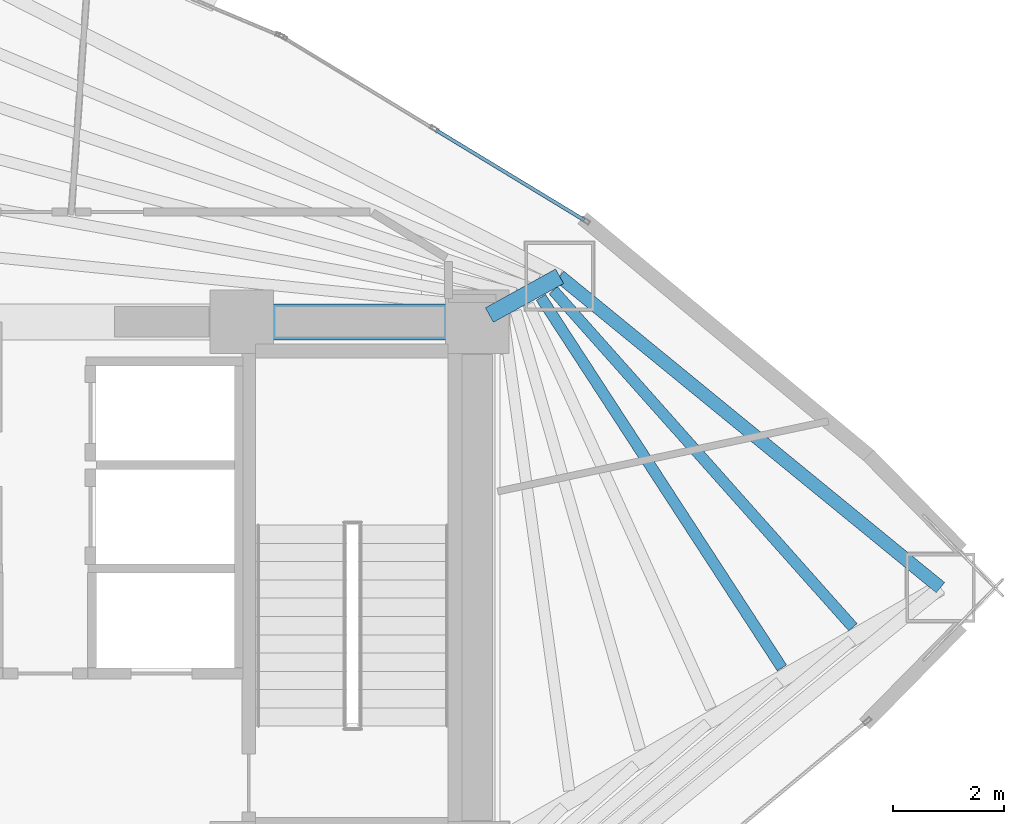
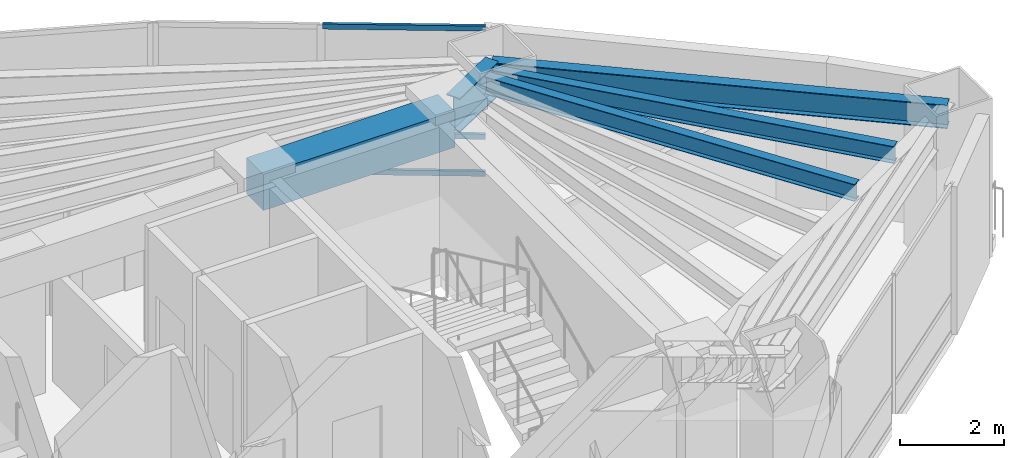
# One storey, part 12 of 19: 5 beams, 3 members, 1 element without a shape of its own.
"""IFC4 building model written with IfcOpenShell, lengths in metres."""

import ifcopenshell
import ifcopenshell.guid

model = None  # the IFC model being written
_history = None  # IfcOwnerHistory: only IFC2X3 demands one
_inside = {}  # id of a spatial element -> (the spatial element, [elements in it])
_under = {}  # id of a project, library or spatial element -> (it, [spatial elements below it])
_declared = {}  # id of a project -> (the project, [libraries it declares])
_typed = {}  # id of a type object -> (the type object, [elements of that type])
_made_of = {}  # id of a material, layer set ... -> (it, [elements and type objects made of it])


def new_model(schema):
    """Start an empty IFC model of exactly this schema.

    Asked for "IFC4X3", IfcOpenShell would pick the latest addendum, in which some entities
    have other attributes; the version numbers below select the first issue.
    IFC2X3 requires an IfcOwnerHistory on every rooted entity: one is made here for all.
    """
    global model, _history
    if schema == "IFC4X3":
        model = ifcopenshell.file(schema_version=(4, 3, 0, 0))
    else:
        model = ifcopenshell.file(schema=schema)
    _inside.clear()
    _under.clear()
    _declared.clear()
    _typed.clear()
    _made_of.clear()
    _history = None
    if model.schema == "IFC2X3":
        org = make("IfcOrganization", Name="unknown")
        user = make(
            "IfcPersonAndOrganization",
            ThePerson=make("IfcPerson", FamilyName="unknown"),
            TheOrganization=org,
        )
        app = make(
            "IfcApplication",
            ApplicationDeveloper=org,
            Version="unknown",
            ApplicationFullName="unknown",
            ApplicationIdentifier="unknown",
        )
        _history = make(
            "IfcOwnerHistory",
            OwningUser=user,
            OwningApplication=app,
            ChangeAction="ADDED",
            CreationDate=0,
        )
    return model


def make(cls, **values):
    """One entity of the class cls with the attributes given. An attribute that is None is left unset."""
    return model.create_entity(
        cls, **{name: value for name, value in values.items() if value is not None}
    )


def rooted(cls, **values):
    """An entity with a GlobalId (a new one), such as an element, a storey or a relation."""
    return make(cls, GlobalId=ifcopenshell.guid.new(), OwnerHistory=_history, **values)


def si_unit(unit_type, name, prefix=None):
    """IfcSIUnit, for example si_unit("LENGTHUNIT", "METRE", prefix="MILLI")."""
    return make("IfcSIUnit", UnitType=unit_type, Prefix=prefix, Name=name)


def assignment(units):
    """IfcUnitAssignment: the units of a project."""
    return None if units is None else make("IfcUnitAssignment", Units=units)


def point(xyz):
    """IfcCartesianPoint."""
    return None if xyz is None else make("IfcCartesianPoint", Coordinates=xyz)


def direction(xyz):
    """IfcDirection."""
    return None if xyz is None else make("IfcDirection", DirectionRatios=xyz)


def frame(location, z_axis=None, x_axis=None):
    """IfcAxis2Placement3D, a coordinate frame: its origin and axes. An axis left out is left unset."""
    return make(
        "IfcAxis2Placement3D",
        Location=point(location),
        Axis=direction(z_axis),
        RefDirection=direction(x_axis),
    )


def frame_2d(location, x_axis=None):
    """IfcAxis2Placement2D, a coordinate frame in the plane: its origin and x axis."""
    return make(
        "IfcAxis2Placement2D", Location=point(location), RefDirection=direction(x_axis)
    )


def origin():
    """The frame at (0, 0, 0) with its axes left unset."""
    return frame((0.0, 0.0, 0.0))


def origin_2d():
    """The frame at (0, 0) in the plane with its x axis left unset."""
    return frame_2d((0.0, 0.0))


def place(relative_to, where):
    """IfcLocalPlacement: puts the frame where relative to a parent placement (None: the world)."""
    return make(
        "IfcLocalPlacement", PlacementRelTo=relative_to, RelativePlacement=where
    )


def context(
    kind, dimensions, precision=None, world=None, true_north=None, identifier=None
):
    """IfcGeometricRepresentationContext, for example the 3D "Model" context."""
    return make(
        "IfcGeometricRepresentationContext",
        ContextIdentifier=identifier,
        ContextType=kind,
        CoordinateSpaceDimension=dimensions,
        Precision=precision,
        WorldCoordinateSystem=world,
        TrueNorth=true_north,
    )


def subcontext(parent, identifier, kind, view, scale=None):
    """IfcGeometricRepresentationSubContext, for example "Body" below "Model"."""
    return make(
        "IfcGeometricRepresentationSubContext",
        ContextIdentifier=identifier,
        ContextType=kind,
        ParentContext=parent,
        TargetScale=scale,
        TargetView=view,
    )


def project(units=None, contexts=None):
    """IfcProject with its units and contexts."""
    return rooted(
        "IfcProject",
        Name="project",
        RepresentationContexts=contexts,
        UnitsInContext=assignment(units),
    )


def spatial(cls, under=None, at=None, **own):
    """A site, building, storey or space (cls), placed at a placement, below another one or the project."""
    s = rooted(cls, ObjectPlacement=at, **own)
    if under is not None:
        _under.setdefault(under.id(), (under, []))[1].append(s)
    return s


def profile(cls, at=None, kind="AREA", **sizes):
    """A parametric profile (cls). Its sizes go by their IFC names, for example OverallWidth=200.0."""
    return make(cls, ProfileType=kind, Position=at, **sizes)


def rectangle(**sizes):
    """IfcRectangleProfileDef."""
    return profile("IfcRectangleProfileDef", **sizes)


def hollow_rectangle(**sizes):
    """IfcRectangleHollowProfileDef."""
    return profile("IfcRectangleHollowProfileDef", **sizes)


def i_section(**sizes):
    """IfcIShapeProfileDef."""
    return profile("IfcIShapeProfileDef", **sizes)


def extrude(swept, where, along, depth):
    """IfcExtrudedAreaSolid: the profile swept, set in the frame where, extruded along a direction by depth."""
    return make(
        "IfcExtrudedAreaSolid",
        SweptArea=swept,
        Position=where,
        ExtrudedDirection=direction(along),
        Depth=depth,
    )


def shape(context_of_items, identifier, shape_type, items):
    """IfcShapeRepresentation: the items that make up one representation, for example the "Body"."""
    return make(
        "IfcShapeRepresentation",
        ContextOfItems=context_of_items,
        RepresentationIdentifier=identifier,
        RepresentationType=shape_type,
        Items=items,
    )


def material(Name=None, Category=None):
    """IfcMaterial."""
    return make("IfcMaterial", Name=Name, Category=Category)


def layer(
    of_material, thickness, ventilated=None, Name=None, Category=None, Priority=None
):
    """IfcMaterialLayer: one layer of a wall or slab, of a material (None: an air gap)."""
    return make(
        "IfcMaterialLayer",
        Material=of_material,
        LayerThickness=thickness,
        IsVentilated=ventilated,
        Name=Name,
        Category=Category,
        Priority=Priority,
    )


def layer_set(layers, Name=None):
    """IfcMaterialLayerSet."""
    return make("IfcMaterialLayerSet", MaterialLayers=layers, LayerSetName=Name)


def material_profile(
    of_material, cross_section, Name=None, Category=None, Priority=None
):
    """IfcMaterialProfile: a cross section and its material."""
    return make(
        "IfcMaterialProfile",
        Name=Name,
        Material=of_material,
        Profile=cross_section,
        Priority=Priority,
        Category=Category,
    )


def profile_set(profiles, Name=None, composite=None):
    """IfcMaterialProfileSet."""
    return make(
        "IfcMaterialProfileSet",
        Name=Name,
        MaterialProfiles=profiles,
        CompositeProfile=composite,
    )


def made_of(thing, what):
    """Note that an element or type object is made of a material, layer set ...; save() writes the relation."""
    if what is not None:
        _made_of.setdefault(what.id(), (what, []))[1].append(thing)
    return thing


def type_object(cls, material=None, **own):
    """A type object (cls), such as IfcWallType, which elements share."""
    return made_of(rooted(cls, **own), material)


def element(
    cls,
    number,
    at=None,
    inside=None,
    cuts=None,
    type_object=None,
    material=None,
    context=None,
    identifier="Body",
    shape_type=None,
    held_by="IfcProductDefinitionShape",
    body=None,
    shapes=None,
    **own,
):
    """One element of the class cls, such as IfcWall. Its Tag is "e" and its number.

    at: its placement. inside: the storey or other place that contains it. cuts: it is an
    opening in that element (IfcRelVoidsElement). A single representation is given by context,
    identifier, shape_type and body (its items); several are given by shapes. held_by: the class
    of the entity that holds the representations. save() writes the other relations.
    """
    e = rooted(cls, Tag="e%d" % number, ObjectPlacement=at, **own)
    if body is not None:
        shapes = [shape(context, identifier, shape_type, body)]
    if shapes is not None:
        e.Representation = make(held_by, Representations=shapes)
    if inside is not None:
        _inside.setdefault(inside.id(), (inside, []))[1].append(e)
    if cuts is not None:
        rooted(
            "IfcRelVoidsElement", RelatingBuildingElement=cuts, RelatedOpeningElement=e
        )
    if type_object is not None:
        _typed.setdefault(type_object.id(), (type_object, []))[1].append(e)
    return made_of(e, material)


def aggregate(whole, parts):
    """IfcRelAggregates: a whole, such as a stair, and the parts it consists of."""
    return rooted("IfcRelAggregates", RelatingObject=whole, RelatedObjects=parts)


def save(model, path):
    """Write the relations noted so far, then the file.

    IfcRelAggregates (storeys below a building ...), IfcRelContainedInSpatialStructure (elements
    in a storey), IfcRelDefinesByType, IfcRelAssociatesMaterial and IfcRelDeclares: one each for
    every whole, place, type object, material and project.
    """
    for whole, parts in _under.values():
        aggregate(whole, parts)
    for where, things in _inside.values():
        rooted(
            "IfcRelContainedInSpatialStructure",
            RelatedElements=things,
            RelatingStructure=where,
        )
    for kind, things in _typed.values():
        rooted("IfcRelDefinesByType", RelatedObjects=things, RelatingType=kind)
    for what, things in _made_of.values():
        rooted("IfcRelAssociatesMaterial", RelatedObjects=things, RelatingMaterial=what)
    for by, libraries in _declared.values():
        rooted("IfcRelDeclares", RelatingContext=by, RelatedDefinitions=libraries)
    model.write(path)


model = new_model("IFC4")

# Units and contexts
model_context = context("Model", 3, precision=1e-05, world=origin(), true_north=direction((0.0, 1.0)))
body_context = subcontext(model_context, "Body", "Model", "MODEL_VIEW")
ifc_project = project(units=[si_unit("LENGTHUNIT", "METRE"), si_unit("AREAUNIT", "SQUARE_METRE"), si_unit("VOLUMEUNIT", "CUBIC_METRE"), si_unit("PLANEANGLEUNIT", "RADIAN"), si_unit("MASSUNIT", "GRAM", prefix="KILO")], contexts=[model_context])

# Site, building, storey
site_placement = place(None, origin())
site = spatial("IfcSite", under=ifc_project, at=site_placement, CompositionType="ELEMENT")
building_placement = place(site_placement, origin())
building = spatial("IfcBuilding", under=site, at=building_placement, Name="Menara Vayukalpa", CompositionType="ELEMENT")
storey_placement = place(building_placement, frame((0.0, 0.0, 118.860107421875)))
storey = spatial("IfcBuildingStorey", under=building, at=storey_placement, Name="L29", CompositionType="ELEMENT", Elevation=118.860107421875)

# Beams
ifc_material_1 = material(Name="Concrete C60/75", Category="concrete")
ifc_material_profile_1 = material_profile(ifc_material_1, rectangle(XDim=0.64990234375, YDim=0.85009765625, at=origin_2d()), Name="RC 650x850")
ifc_profile_set_1 = profile_set([ifc_material_profile_1], Name="Concrete C60/75")
beam_type_1 = type_object("IfcBeamType", Name="BM-CB1", PredefinedType="BEAM", material=ifc_profile_set_1)
beam_1_placement = place(storey_placement, frame((29.14990234375, 26.800048828125, 3.044921875), z_axis=(1.0, 0.0, 0.0), x_axis=(0.0, 1.0, 0.0)))
element("IfcBeam", 1, at=beam_1_placement, inside=storey, type_object=beam_type_1, Name="L29 Core Tie Beam CBR6", PredefinedType="BEAM", context=body_context, shape_type="SweptSolid", body=[
    extrude(rectangle(XDim=0.64990234375, YDim=0.85009765625, at=origin_2d()), origin(), (0.0, 0.0, 1.0), 4.25),
])
ifc_material_2 = material(Name="Steel S355", Category="steel")
ifc_material_profile_2 = material_profile(ifc_material_2, i_section(OverallWidth=0.300048828125, OverallDepth=0.800048828125, WebThickness=0.013916015625, FlangeThickness=0.02587890625, at=origin_2d()), Name="WF 800x300x14x26")
ifc_profile_set_2 = profile_set([ifc_material_profile_2], Name="Steel S355")
beam_type_2 = type_object("IfcBeamType", Name="BM-PG3", PredefinedType="BEAM", material=ifc_profile_set_2)
beam_2_placement = place(storey_placement, frame((33.618896484375, 26.9208984375, 3.06982421875), z_axis=(0.875228391676, 0.48370989488, 0.0), x_axis=(-0.48370989488, 0.875228391676, 0.0)))
element("IfcBeam", 2, at=beam_2_placement, inside=storey, type_object=beam_type_2, Name="L29 Primary Radial Girder RG02", PredefinedType="BEAM", context=body_context, shape_type="SweptSolid", body=[
    extrude(i_section(OverallWidth=0.300048828125, OverallDepth=0.800048828125, WebThickness=0.013916015625, FlangeThickness=0.02587890625, at=origin_2d()), origin(), (0.0, 0.0, 1.0), 1.448486328125),
])
ifc_material_3 = material(Name="Steel S355", Category="steel")
ifc_material_profile_3 = material_profile(ifc_material_3, i_section(OverallWidth=0.199951171875, OverallDepth=0.39990234375, WebThickness=0.008056640625, FlangeThickness=0.012939453125, at=origin_2d()), Name="WF 400x200x8x13")
ifc_profile_set_3 = profile_set([ifc_material_profile_3], Name="Steel S355")
beam_type_3 = type_object("IfcBeamType", Name="BM-SJ2", PredefinedType="JOIST", material=ifc_profile_set_3)
beam_3_placement = place(storey_placement, frame((38.89990234375, 20.552734375, 3.269775390625), z_axis=(-0.545359331823, 0.83820236172, 0.0), x_axis=(-0.83820236172, -0.545359331823, 0.0)))
element("IfcBeam", 3, at=beam_3_placement, inside=storey, type_object=beam_type_3, Name="L29 Secondary Floor Joist SJ01-4", PredefinedType="JOIST", context=body_context, shape_type="SweptSolid", body=[
    extrude(i_section(OverallWidth=0.199951171875, OverallDepth=0.39990234375, WebThickness=0.008056640625, FlangeThickness=0.012939453125, at=origin_2d()), origin(), (0.0, 0.0, 1.0), 7.979248046875),
])
beam_4_placement = place(storey_placement, frame((40.182861328125, 21.285400390625, 3.269775390625), z_axis=(-0.664656003625, 0.747149514384, 0.0), x_axis=(-0.747149514384, -0.664656003625, 0.0)))
element("IfcBeam", 4, at=beam_4_placement, inside=storey, type_object=beam_type_3, Name="L29 Secondary Floor Joist SJ01-5", PredefinedType="JOIST", context=body_context, shape_type="SweptSolid", body=[
    extrude(i_section(OverallWidth=0.199951171875, OverallDepth=0.39990234375, WebThickness=0.008056640625, FlangeThickness=0.012939453125, at=origin_2d()), origin(), (0.0, 0.0, 1.0), 8.1416015625),
])
ifc_material_4 = material(Name="Steel S355", Category="steel")
ifc_material_profile_4 = material_profile(ifc_material_4, i_section(OverallWidth=0.239990234375, OverallDepth=0.550048828125, WebThickness=0.010986328125, FlangeThickness=0.01904296875, at=origin_2d()), Name="WF 550x240x11x19")
ifc_profile_set_4 = profile_set([ifc_material_profile_4], Name="Steel S355")
beam_type_4 = type_object("IfcBeamType", Name="BM-SP2", PredefinedType="SPANDREL", material=ifc_profile_set_4)
beam_5_placement = place(storey_placement, frame((41.761962890625, 22.0, 3.19482421875), z_axis=(-0.774156906301, 0.632993747541, 0.0), x_axis=(-0.632993747541, -0.774156906301, 0.0)))
element("IfcBeam", 5, at=beam_5_placement, inside=storey, type_object=beam_type_4, Name="L29 Perimeter Spandrel Beam SP01", PredefinedType="SPANDREL", context=body_context, shape_type="SweptSolid", body=[
    extrude(i_section(OverallWidth=0.239990234375, OverallDepth=0.550048828125, WebThickness=0.010986328125, FlangeThickness=0.01904296875, at=origin_2d()), origin(), (0.0, 0.0, 1.0), 8.880859375),
])

# Curtain wall, members
ifc_material_5 = material(Name="Anodised Terracotta Aluminium Alloy 6063-T6", Category="masonry")
ifc_layer = layer(ifc_material_5, 0.14990234375)
ifc_layer_set = layer_set([ifc_layer], Name="Anodised Terracotta Aluminium Alloy 6063-T6")
curtain_wall_type = type_object("IfcCurtainWallType", Name="CW-CW3", PredefinedType="USERDEFINED", material=ifc_layer_set)
curtain_wall_placement = place(storey_placement, origin())
curtain_wall = element("IfcCurtainWall", 6, at=curtain_wall_placement, inside=storey, type_object=curtain_wall_type, Name="L29 Mid Rise Terracotta Ribbon Curtain Wall CW3 04", ObjectType="UNITISED", PredefinedType="USERDEFINED")
ifc_material_6 = material(Name="Anodised Terracotta Aluminium Alloy 6063-T6", Category="masonry")
ifc_material_profile_5 = material_profile(ifc_material_6, hollow_rectangle(XDim=0.06494140625, YDim=0.1201171875, WallThickness=0.00341796875, at=origin_2d()), Name="ALU 65x120x3.5")
ifc_profile_set_5 = profile_set([ifc_material_profile_5], Name="Anodised Terracotta Aluminium Alloy 6063-T6")
member_type = type_object("IfcMemberType", Name="CWT-CW3", PredefinedType="USERDEFINED", material=ifc_profile_set_5)
member_1_placement = place(storey_placement, frame((35.33056640625, 28.6357421875, 0.032470703125), z_axis=(-0.854673871166, 0.519165266506, 0.0), x_axis=(-0.519165266506, -0.854673871166, 0.0)))
member_1 = element("IfcMember", 7, at=member_1_placement, type_object=member_type, Name="CW3 transom 1.1", ObjectType="TRANSOM", PredefinedType="USERDEFINED", context=body_context, shape_type="SweptSolid", body=[
    extrude(hollow_rectangle(XDim=0.06494140625, YDim=0.1201171875, WallThickness=0.00341796875, at=origin_2d()), origin(), (0.0, 0.0, 1.0), 3.1318359375),
])
member_2_placement = place(storey_placement, frame((35.33056640625, 28.6357421875, 0.89990234375), z_axis=(-0.854673871166, 0.519165266506, 0.0), x_axis=(-0.519165266506, -0.854673871166, 0.0)))
member_2 = element("IfcMember", 8, at=member_2_placement, type_object=member_type, Name="CW3 transom 1.2", ObjectType="TRANSOM", PredefinedType="USERDEFINED", context=body_context, shape_type="SweptSolid", body=[
    extrude(hollow_rectangle(XDim=0.06494140625, YDim=0.1201171875, WallThickness=0.00341796875, at=origin_2d()), origin(), (0.0, 0.0, 1.0), 3.1318359375),
])
member_3_placement = place(storey_placement, frame((35.33056640625, 28.6357421875, 3.4375), z_axis=(-0.854673871166, 0.519165266506, 0.0), x_axis=(-0.519165266506, -0.854673871166, 0.0)))
member_3 = element("IfcMember", 9, at=member_3_placement, type_object=member_type, Name="CW3 transom 1.3", ObjectType="TRANSOM", PredefinedType="USERDEFINED", context=body_context, shape_type="SweptSolid", body=[
    extrude(hollow_rectangle(XDim=0.06494140625, YDim=0.1201171875, WallThickness=0.00341796875, at=origin_2d()), origin(), (0.0, 0.0, 1.0), 3.1318359375),
])
aggregate(curtain_wall, [member_1, member_2, member_3])

save(model, "model.ifc")
